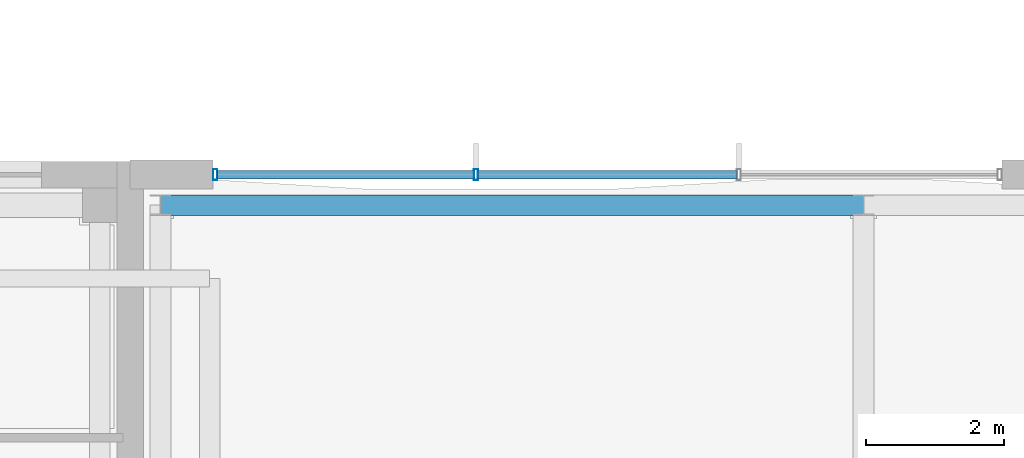
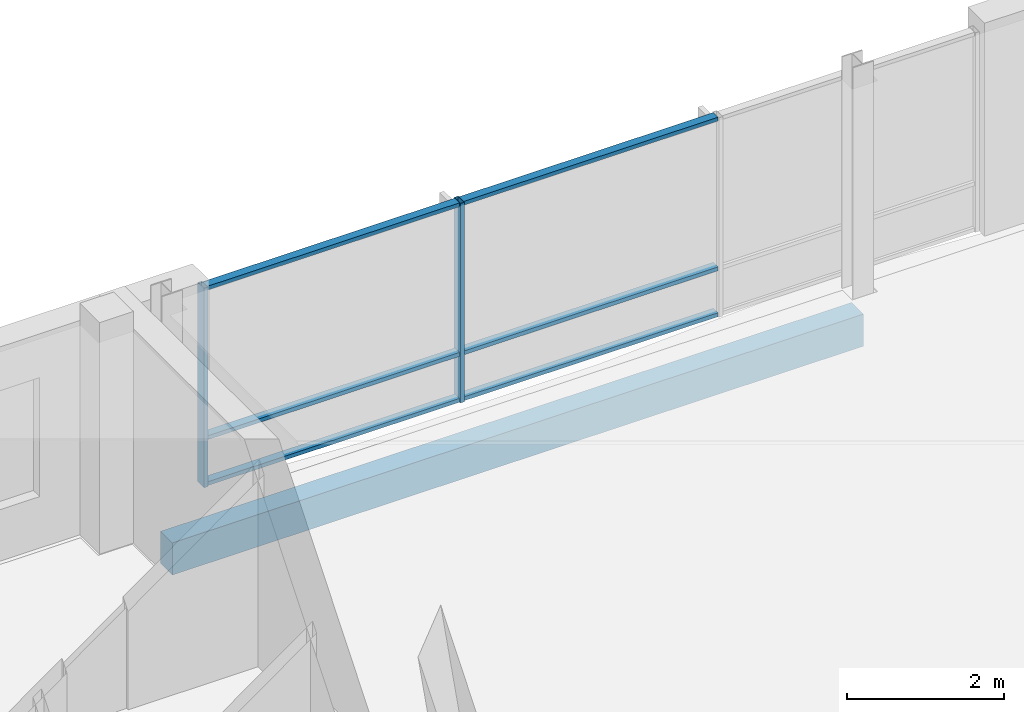
# One storey, part 80 of 189: 8 members, 1 beam, 1 element without a shape of its own.
"""IFC4 building model written with IfcOpenShell, lengths in metres."""

from ifc_helpers import new_model, si_unit, direction, frame, origin, origin_2d, place, context, subcontext, project, spatial, rectangle, hollow_rectangle, extrude, material, material_profile, profile_set, type_object, element, aggregate, save


model = new_model("IFC4")

# Units and contexts
model_context = context("Model", 3, precision=1e-05, world=origin(), true_north=direction((0.0, 1.0)))
body_context = subcontext(model_context, "Body", "Model", "MODEL_VIEW")
ifc_project = project(units=[si_unit("LENGTHUNIT", "METRE"), si_unit("AREAUNIT", "SQUARE_METRE"), si_unit("VOLUMEUNIT", "CUBIC_METRE"), si_unit("PLANEANGLEUNIT", "RADIAN"), si_unit("MASSUNIT", "GRAM", prefix="KILO")], contexts=[model_context])

# Site, building, storey
site_placement = place(None, origin())
site = spatial("IfcSite", under=ifc_project, at=site_placement, CompositionType="ELEMENT")
building_placement = place(site_placement, origin())
building = spatial("IfcBuilding", under=site, at=building_placement, Name="Zavelmont Quarter", CompositionType="ELEMENT")
storey_placement = place(building_placement, frame((0.0, 0.0, 4.39990234375)))
storey = spatial("IfcBuildingStorey", under=building, at=storey_placement, Name="L01", CompositionType="ELEMENT", Elevation=4.39990234375)

# Beam
ifc_material_1 = material(Name="Concrete C35/45", Category="concrete")
ifc_material_profile_1 = material_profile(ifc_material_1, rectangle(XDim=0.300048828125, YDim=0.5, at=origin_2d()), Name="RC300X500")
ifc_profile_set_1 = profile_set([ifc_material_profile_1], Name="Concrete C35/45")
beam_type = type_object("IfcBeamType", Name="BM03", PredefinedType="BEAM", material=ifc_profile_set_1)
beam_placement = place(storey_placement, frame((55.639892578125, 115.56005859375, -0.52978515625), z_axis=(1.0, 0.0, 0.0), x_axis=(0.0, 1.0, 0.0)))
element("IfcBeam", 1, at=beam_placement, inside=storey, type_object=beam_type, Name="L01 beam BM03 9/S to 10/S", PredefinedType="BEAM", context=body_context, shape_type="SweptSolid", body=[
    extrude(rectangle(XDim=0.300048828125, YDim=0.5, at=origin_2d()), origin(), (0.0, 0.0, 1.0), 10.16015625),
])

# Curtain wall, members
ifc_material_2 = material(Name="Thermally broken aluminium and double low-E safety glazing", Category="aluminium")
curtain_wall_type = type_object("IfcCurtainWallType", Name="CW-1140X310", PredefinedType="NOTDEFINED", material=ifc_material_2)
curtain_wall_placement = place(storey_placement, origin())
curtain_wall = element("IfcCurtainWall", 2, at=curtain_wall_placement, inside=storey, type_object=curtain_wall_type, Name="L01 unitised curtain wall CW-1140X310", PredefinedType="NOTDEFINED")
ifc_material_3 = material(Name="Powder-coated aluminium EN AW-6063-T6", Category="aluminium")
ifc_material_profile_2 = material_profile(ifc_material_3, hollow_rectangle(XDim=0.06005859375, YDim=0.159912109375, WallThickness=0.00390625, at=origin_2d()), Name="CWM60X160")
ifc_profile_set_2 = profile_set([ifc_material_profile_2], Name="Powder-coated aluminium EN AW-6063-T6")
member_type_1 = type_object("IfcMemberType", Name="CWM01", PredefinedType="MULLION", material=ifc_profile_set_2)
member_1_placement = place(storey_placement, frame((56.429931640625, 116.0, 0.0), z_axis=(0.0, 0.0, 1.0), x_axis=(1.0, 0.0, 0.0)))
member_1 = element("IfcMember", 3, at=member_1_placement, type_object=member_type_1, Name="CW-1140X310 mullion 1", PredefinedType="MULLION", context=body_context, shape_type="SweptSolid", body=[
    extrude(hollow_rectangle(XDim=0.06005859375, YDim=0.159912109375, WallThickness=0.00390625, at=origin_2d()), origin(), (0.0, 0.0, 1.0), 3.10009765625),
])
member_2_placement = place(storey_placement, frame((60.199951171875, 116.0, 0.0), z_axis=(0.0, 0.0, 1.0), x_axis=(1.0, 0.0, 0.0)))
member_2 = element("IfcMember", 4, at=member_2_placement, type_object=member_type_1, Name="CW-1140X310 mullion 2", PredefinedType="MULLION", context=body_context, shape_type="SweptSolid", body=[
    extrude(hollow_rectangle(XDim=0.06005859375, YDim=0.159912109375, WallThickness=0.00390625, at=origin_2d()), origin(), (0.0, 0.0, 1.0), 3.10009765625),
])
ifc_material_profile_3 = material_profile(ifc_material_3, hollow_rectangle(XDim=0.1201171875, YDim=0.06005859375, WallThickness=0.00390625, at=origin_2d()), Name="CWT60X120")
ifc_profile_set_3 = profile_set([ifc_material_profile_3], Name="Powder-coated aluminium EN AW-6063-T6")
member_type_2 = type_object("IfcMemberType", Name="CWT01", PredefinedType="NOTDEFINED", material=ifc_profile_set_3)
member_3_placement = place(storey_placement, frame((56.4599609375, 116.0, 0.030029296875), z_axis=(1.0, 0.0, 0.0), x_axis=(0.0, 1.0, 0.0)))
member_3 = element("IfcMember", 5, at=member_3_placement, type_object=member_type_2, Name="CW-1140X310 transom 1.1", ObjectType="TRANSOM", PredefinedType="USERDEFINED", context=body_context, shape_type="SweptSolid", body=[
    extrude(hollow_rectangle(XDim=0.1201171875, YDim=0.06005859375, WallThickness=0.00390625, at=origin_2d()), origin(), (0.0, 0.0, 1.0), 3.7099609375),
])
member_4_placement = place(storey_placement, frame((56.4599609375, 116.0, 0.744140625), z_axis=(1.0, 0.0, 0.0), x_axis=(0.0, 1.0, 0.0)))
member_4 = element("IfcMember", 6, at=member_4_placement, type_object=member_type_2, Name="CW-1140X310 transom 1.2", ObjectType="TRANSOM", PredefinedType="USERDEFINED", context=body_context, shape_type="SweptSolid", body=[
    extrude(hollow_rectangle(XDim=0.1201171875, YDim=0.06005859375, WallThickness=0.00390625, at=origin_2d()), origin(), (0.0, 0.0, 1.0), 3.7099609375),
])
member_5_placement = place(storey_placement, frame((56.4599609375, 116.0, 3.070068359375), z_axis=(1.0, 0.0, 0.0), x_axis=(0.0, 1.0, 0.0)))
member_5 = element("IfcMember", 7, at=member_5_placement, type_object=member_type_2, Name="CW-1140X310 transom 1.3", ObjectType="TRANSOM", PredefinedType="USERDEFINED", context=body_context, shape_type="SweptSolid", body=[
    extrude(hollow_rectangle(XDim=0.1201171875, YDim=0.06005859375, WallThickness=0.00390625, at=origin_2d()), origin(), (0.0, 0.0, 1.0), 3.7099609375),
])
member_6_placement = place(storey_placement, frame((60.22998046875, 116.0, 0.030029296875), z_axis=(1.0, 0.0, 0.0), x_axis=(0.0, 1.0, 0.0)))
member_6 = element("IfcMember", 8, at=member_6_placement, type_object=member_type_2, Name="CW-1140X310 transom 2.1", ObjectType="TRANSOM", PredefinedType="USERDEFINED", context=body_context, shape_type="SweptSolid", body=[
    extrude(hollow_rectangle(XDim=0.1201171875, YDim=0.06005859375, WallThickness=0.00390625, at=origin_2d()), origin(), (0.0, 0.0, 1.0), 3.739990234375),
])
member_7_placement = place(storey_placement, frame((60.22998046875, 116.0, 0.744140625), z_axis=(1.0, 0.0, 0.0), x_axis=(0.0, 1.0, 0.0)))
member_7 = element("IfcMember", 9, at=member_7_placement, type_object=member_type_2, Name="CW-1140X310 transom 2.2", ObjectType="TRANSOM", PredefinedType="USERDEFINED", context=body_context, shape_type="SweptSolid", body=[
    extrude(hollow_rectangle(XDim=0.1201171875, YDim=0.06005859375, WallThickness=0.00390625, at=origin_2d()), origin(), (0.0, 0.0, 1.0), 3.739990234375),
])
member_8_placement = place(storey_placement, frame((60.22998046875, 116.0, 3.070068359375), z_axis=(1.0, 0.0, 0.0), x_axis=(0.0, 1.0, 0.0)))
member_8 = element("IfcMember", 10, at=member_8_placement, type_object=member_type_2, Name="CW-1140X310 transom 2.3", ObjectType="TRANSOM", PredefinedType="USERDEFINED", context=body_context, shape_type="SweptSolid", body=[
    extrude(hollow_rectangle(XDim=0.1201171875, YDim=0.06005859375, WallThickness=0.00390625, at=origin_2d()), origin(), (0.0, 0.0, 1.0), 3.739990234375),
])
aggregate(curtain_wall, [member_1, member_2, member_3, member_4, member_5, member_6, member_7, member_8])

save(model, "model.ifc")
